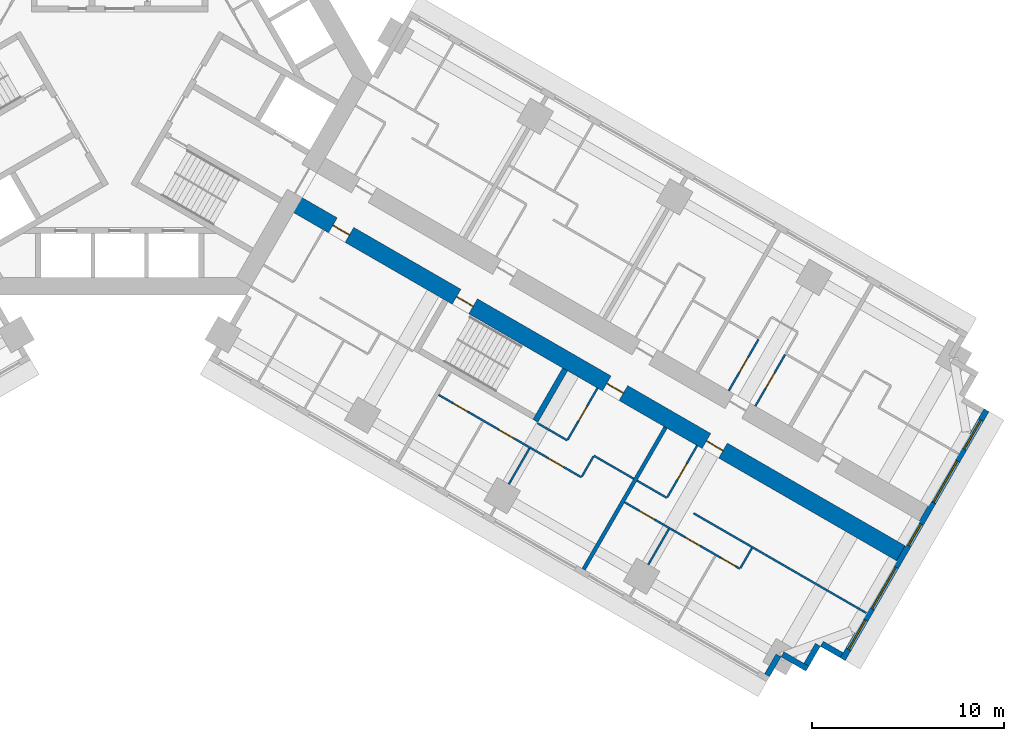
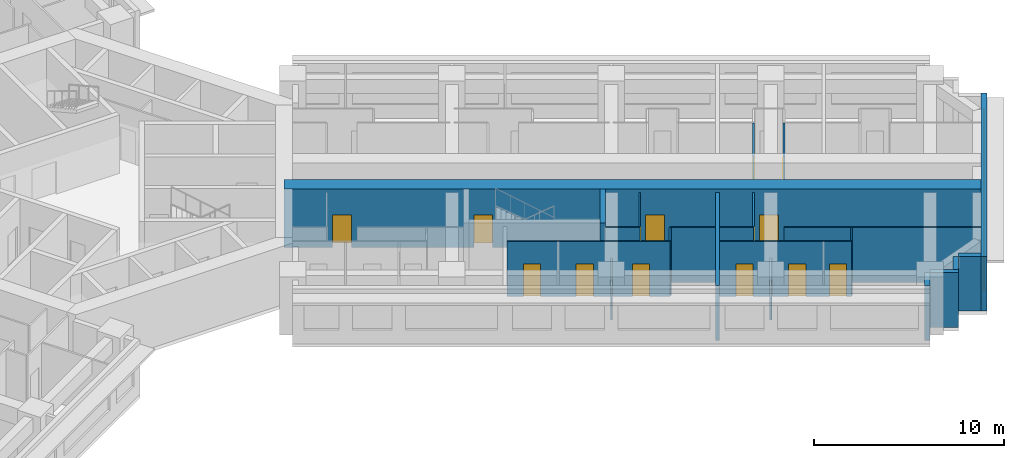
# One storey, part 11 of 16: 22 walls, 14 doors, 5 windows, 19 openings.
"""IFC4 building model written with IfcOpenShell, lengths in metres."""

from ifc_helpers import new_model, si_unit, direction, frame, frame_2d, origin, place, context, subcontext, project, spatial, rectangle, extrude, material, layer, layer_set, type_object, element, fill, save


model = new_model("IFC4")

# Units and contexts
model_context = context("Model", 3, precision=1e-05, world=origin(), true_north=direction((0.0, 1.0)))
body_context = subcontext(model_context, "Body", "Model", "MODEL_VIEW")
ifc_project = project(units=[si_unit("LENGTHUNIT", "METRE"), si_unit("AREAUNIT", "SQUARE_METRE"), si_unit("VOLUMEUNIT", "CUBIC_METRE"), si_unit("PLANEANGLEUNIT", "RADIAN"), si_unit("MASSUNIT", "GRAM", prefix="KILO")], contexts=[model_context])

# Site, building, storey
site_placement = place(None, origin())
site = spatial("IfcSite", under=ifc_project, at=site_placement, CompositionType="ELEMENT")
building_placement = place(site_placement, origin())
building = spatial("IfcBuilding", under=site, at=building_placement, Name="Impinga Residences", CompositionType="ELEMENT")
storey_placement = place(building_placement, frame((0.0, 0.0, 78.5)))
storey = spatial("IfcBuildingStorey", under=building, at=storey_placement, Name="L19", CompositionType="ELEMENT", Elevation=78.5)

# Wall, openings, doors
ifc_material_1 = material(Name="Concrete C70/85", Category="concrete")
ifc_layer_1 = layer(ifc_material_1, 0.89990234375)
ifc_layer_set_1 = layer_set([ifc_layer_1], Name="Concrete C70/85")
wall_type_1 = type_object("IfcWallType", Name="BW1 corridor buttress wall, L05 to L22 900", PredefinedType="SHEAR", material=ifc_layer_set_1)
wall_1_placement = place(storey_placement, frame((8.910400390625, -6.530029296875, 0.0), z_axis=(0.0, 0.0, 1.0), x_axis=(0.866025284237, -0.500000207062, 0.0)))
wall_1 = element("IfcWall", 1, at=wall_1_placement, inside=storey, type_object=wall_type_1, Name="Corridor wall BW1 ED L19", PredefinedType="SHEAR", context=body_context, shape_type="SweptSolid", body=[
    extrude(rectangle(XDim=36.75, YDim=0.89990234375, at=frame_2d((18.375, 0.0))), origin(), (0.0, 0.0, 1.0), 3.75),
])
opening_1_placement = place(wall_1_placement, frame((10.0, 0.0, 0.0)))
opening_1 = element("IfcOpeningElement", 2, at=opening_1_placement, cuts=wall_1, Name="Opening D5", PredefinedType="OPENING", context=body_context, shape_type="SweptSolid", body=[
    extrude(rectangle(XDim=1.0, YDim=2.10009765625, at=frame_2d((0.5, 1.050048828125))), frame((0.0, 0.4599609375, 0.0), z_axis=(0.0, -1.0, 0.0), x_axis=(1.0, 0.0, 0.0)), (0.0, 0.0, 1.0), 0.919921875),
])
opening_2_placement = place(wall_1_placement, frame((2.550048828125, 0.0, 0.0)))
opening_2 = element("IfcOpeningElement", 3, at=opening_2_placement, cuts=wall_1, Name="Opening D1", PredefinedType="OPENING", context=body_context, shape_type="SweptSolid", body=[
    extrude(rectangle(XDim=1.0, YDim=2.10009765625, at=frame_2d((0.5, 1.050048828125))), frame((0.0, 0.4599609375, 0.0), z_axis=(0.0, -1.0, 0.0), x_axis=(1.0, 0.0, 0.0)), (0.0, 0.0, 1.0), 0.919921875),
])
opening_3_placement = place(wall_1_placement, frame((19.050048828125, 0.0, 0.0)))
opening_3 = element("IfcOpeningElement", 4, at=opening_3_placement, cuts=wall_1, Name="Opening D1", PredefinedType="OPENING", context=body_context, shape_type="SweptSolid", body=[
    extrude(rectangle(XDim=1.0, YDim=2.10009765625, at=frame_2d((0.5, 1.050048828125))), frame((0.0, 0.4599609375, 0.0), z_axis=(0.0, -1.0, 0.0), x_axis=(1.0, 0.0, 0.0)), (0.0, 0.0, 1.0), 0.919921875),
])
opening_4_placement = place(wall_1_placement, frame((25.050048828125, 0.0, 0.0)))
opening_4 = element("IfcOpeningElement", 5, at=opening_4_placement, cuts=wall_1, Name="Opening D1", PredefinedType="OPENING", context=body_context, shape_type="SweptSolid", body=[
    extrude(rectangle(XDim=1.0, YDim=2.10009765625, at=frame_2d((0.5, 1.050048828125))), frame((0.0, 0.4599609375, 0.0), z_axis=(0.0, -1.0, 0.0), x_axis=(1.0, 0.0, 0.0)), (0.0, 0.0, 1.0), 0.919921875),
])
ifc_material_2 = material(Name="Timber door set", Category="wood")
door_type_1 = type_object("IfcDoorType", Name="D1 apartment entrance door 1000x2100", OperationType="SINGLE_SWING_LEFT", PredefinedType="DOOR", material=ifc_material_2)
door_1_placement = place(opening_2_placement, origin())
door_1 = element("IfcDoor", 6, at=door_1_placement, inside=storey, type_object=door_type_1, Name="Apartment L19-EF1 entrance", OperationType="SINGLE_SWING_LEFT", OverallHeight=2.10009765625, OverallWidth=1.0, PredefinedType="DOOR", context=body_context, shape_type="SweptSolid", body=[
    extrude(rectangle(XDim=1.0, YDim=2.10009765625, at=frame_2d((0.5, 1.050048828125))), frame((0.0, 0.02490234375, 0.0), z_axis=(0.0, -1.0, 0.0), x_axis=(1.0, 0.0, 0.0)), (0.0, 0.0, 1.0), 0.050048828125),
])
fill(opening_2, door_1)
door_2_placement = place(opening_3_placement, origin())
door_2 = element("IfcDoor", 7, at=door_2_placement, inside=storey, type_object=door_type_1, Name="Apartment L19-EF2 entrance", OperationType="SINGLE_SWING_RIGHT", OverallHeight=2.10009765625, OverallWidth=1.0, PredefinedType="DOOR", context=body_context, shape_type="SweptSolid", body=[
    extrude(rectangle(XDim=1.0, YDim=2.10009765625, at=frame_2d((0.5, 1.050048828125))), frame((0.0, 0.02490234375, 0.0), z_axis=(0.0, -1.0, 0.0), x_axis=(1.0, 0.0, 0.0)), (0.0, 0.0, 1.0), 0.050048828125),
])
fill(opening_3, door_2)
door_3_placement = place(opening_4_placement, origin())
door_3 = element("IfcDoor", 8, at=door_3_placement, inside=storey, type_object=door_type_1, Name="Apartment L19-EF3 entrance", OperationType="SINGLE_SWING_RIGHT", OverallHeight=2.10009765625, OverallWidth=1.0, PredefinedType="DOOR", context=body_context, shape_type="SweptSolid", body=[
    extrude(rectangle(XDim=1.0, YDim=2.10009765625, at=frame_2d((0.5, 1.050048828125))), frame((0.0, 0.02490234375, 0.0), z_axis=(0.0, -1.0, 0.0), x_axis=(1.0, 0.0, 0.0)), (0.0, 0.0, 1.0), 0.050048828125),
])
fill(opening_4, door_3)
door_type_2 = type_object("IfcDoorType", Name="D5 stair door 1000x2100", OperationType="SINGLE_SWING_LEFT", PredefinedType="DOOR", material=ifc_material_2)
door_4_placement = place(opening_1_placement, origin())
door_4 = element("IfcDoor", 9, at=door_4_placement, inside=storey, type_object=door_type_2, Name="Wing stair door E", OperationType="SINGLE_SWING_LEFT", OverallHeight=2.10009765625, OverallWidth=1.0, PredefinedType="DOOR", context=body_context, shape_type="SweptSolid", body=[
    extrude(rectangle(XDim=1.0, YDim=2.10009765625, at=frame_2d((0.5, 1.050048828125))), frame((0.0, 0.02490234375, 0.0), z_axis=(0.0, -1.0, 0.0), x_axis=(1.0, 0.0, 0.0)), (0.0, 0.0, 1.0), 0.050048828125),
])
fill(opening_1, door_4)

# Wall, openings, windows
ifc_material_3 = material(Name="Terracotta rainscreen on blockwork", Category="masonry")
ifc_layer_2 = layer(ifc_material_3, 0.300048828125)
ifc_layer_set_2 = layer_set([ifc_layer_2], Name="EW1 external wall, terracotta rainscreen on blockwork 300")
wall_type_2 = type_object("IfcWallType", Name="EW1 external wall, terracotta rainscreen on blockwork 300", PredefinedType="SOLIDWALL", material=ifc_layer_set_2)
wall_2_placement = place(storey_placement, frame((45.216552734375, -17.445556640625, 0.0), z_axis=(0.0, 0.0, 1.0), x_axis=(-0.499997186618, -0.866027028085, 0.0)))
wall_2 = element("IfcWall", 10, at=wall_2_placement, inside=storey, type_object=wall_type_2, Name="External wall EW1 L19", PredefinedType="SOLIDWALL", context=body_context, shape_type="SweptSolid", body=[
    extrude(rectangle(XDim=15.0, YDim=0.300048828125, at=frame_2d((7.5, 0.0))), origin(), (0.0, 0.0, 1.0), 3.530029296875),
])
opening_5_placement = place(wall_2_placement, frame((0.60009765625, 0.0, 0.89990234375)))
opening_5 = element("IfcOpeningElement", 11, at=opening_5_placement, cuts=wall_2, Name="Opening W1", PredefinedType="OPENING", context=body_context, shape_type="SweptSolid", body=[
    extrude(rectangle(XDim=1.75, YDim=2.050048828125, at=frame_2d((0.875, 1.02490234375))), frame((0.0, 0.159912109375, 0.0), z_axis=(0.0, -1.0, 0.0), x_axis=(1.0, 0.0, 0.0)), (0.0, 0.0, 1.0), 0.320068359375),
])
opening_6_placement = place(wall_2_placement, frame((3.050048828125, 0.0, 0.89990234375)))
opening_6 = element("IfcOpeningElement", 12, at=opening_6_placement, cuts=wall_2, Name="Opening W2", PredefinedType="OPENING", context=body_context, shape_type="SweptSolid", body=[
    extrude(rectangle(XDim=2.5, YDim=2.050048828125, at=frame_2d((1.25, 1.02490234375))), frame((0.0, 0.159912109375, 0.0), z_axis=(0.0, -1.0, 0.0), x_axis=(1.0, 0.0, 0.0)), (0.0, 0.0, 1.0), 0.320068359375),
])
opening_7_placement = place(wall_2_placement, frame((6.85009765625, 0.0, 0.89990234375)))
opening_7 = element("IfcOpeningElement", 13, at=opening_7_placement, cuts=wall_2, Name="Opening WE1", PredefinedType="OPENING", context=body_context, shape_type="SweptSolid", body=[
    extrude(rectangle(XDim=1.300048828125, YDim=2.050048828125, at=frame_2d((0.64990234375, 1.02490234375))), frame((0.0, 0.159912109375, 0.0), z_axis=(0.0, -1.0, 0.0), x_axis=(1.0, 0.0, 0.0)), (0.0, 0.0, 1.0), 0.320068359375),
])
opening_8_placement = place(wall_2_placement, frame((9.449951171875, 0.0, 0.89990234375)))
opening_8 = element("IfcOpeningElement", 14, at=opening_8_placement, cuts=wall_2, Name="Opening W2", PredefinedType="OPENING", context=body_context, shape_type="SweptSolid", body=[
    extrude(rectangle(XDim=2.5, YDim=2.050048828125, at=frame_2d((1.25, 1.02490234375))), frame((0.0, 0.159912109375, 0.0), z_axis=(0.0, -1.0, 0.0), x_axis=(1.0, 0.0, 0.0)), (0.0, 0.0, 1.0), 0.320068359375),
])
opening_9_placement = place(wall_2_placement, frame((12.64990234375, 0.0, 0.89990234375)))
opening_9 = element("IfcOpeningElement", 15, at=opening_9_placement, cuts=wall_2, Name="Opening W1", PredefinedType="OPENING", context=body_context, shape_type="SweptSolid", body=[
    extrude(rectangle(XDim=1.75, YDim=2.050048828125, at=frame_2d((0.875, 1.02490234375))), frame((0.0, 0.159912109375, 0.0), z_axis=(0.0, -1.0, 0.0), x_axis=(1.0, 0.0, 0.0)), (0.0, 0.0, 1.0), 0.320068359375),
])
ifc_material_4 = material(Name="Aluminium window, clear double glazing", Category="aluminium")
window_type_1 = type_object("IfcWindowType", Name="W1 ribbon window 1750x2050", PartitioningType="SINGLE_PANEL", PredefinedType="WINDOW", material=ifc_material_4)
window_1_placement = place(opening_5_placement, origin())
window_1 = element("IfcWindow", 16, at=window_1_placement, inside=storey, type_object=window_type_1, Name="Window L19", OverallHeight=2.050048828125, OverallWidth=1.75, PartitioningType="SINGLE_PANEL", PredefinedType="WINDOW", context=body_context, shape_type="SweptSolid", body=[
    extrude(rectangle(XDim=1.75, YDim=2.050048828125, at=frame_2d((0.875, 1.02490234375))), frame((0.0, 0.030029296875, 0.0), z_axis=(0.0, -1.0, 0.0), x_axis=(1.0, 0.0, 0.0)), (0.0, 0.0, 1.0), 0.06005859375),
])
fill(opening_5, window_1)
window_2_placement = place(opening_9_placement, origin())
window_2 = element("IfcWindow", 17, at=window_2_placement, inside=storey, type_object=window_type_1, Name="Window L19", OverallHeight=2.050048828125, OverallWidth=1.75, PartitioningType="SINGLE_PANEL", PredefinedType="WINDOW", context=body_context, shape_type="SweptSolid", body=[
    extrude(rectangle(XDim=1.75, YDim=2.050048828125, at=frame_2d((0.875, 1.02490234375))), frame((0.0, 0.030029296875, 0.0), z_axis=(0.0, -1.0, 0.0), x_axis=(1.0, 0.0, 0.0)), (0.0, 0.0, 1.0), 0.06005859375),
])
fill(opening_9, window_2)
window_type_2 = type_object("IfcWindowType", Name="W2 ribbon window 2500x2050", PartitioningType="SINGLE_PANEL", PredefinedType="WINDOW", material=ifc_material_4)
window_3_placement = place(opening_6_placement, origin())
window_3 = element("IfcWindow", 18, at=window_3_placement, inside=storey, type_object=window_type_2, Name="Window L19", OverallHeight=2.050048828125, OverallWidth=2.5, PartitioningType="SINGLE_PANEL", PredefinedType="WINDOW", context=body_context, shape_type="SweptSolid", body=[
    extrude(rectangle(XDim=2.5, YDim=2.050048828125, at=frame_2d((1.25, 1.02490234375))), frame((0.0, 0.030029296875, 0.0), z_axis=(0.0, -1.0, 0.0), x_axis=(1.0, 0.0, 0.0)), (0.0, 0.0, 1.0), 0.06005859375),
])
fill(opening_6, window_3)
window_4_placement = place(opening_8_placement, origin())
window_4 = element("IfcWindow", 19, at=window_4_placement, inside=storey, type_object=window_type_2, Name="Window L19", OverallHeight=2.050048828125, OverallWidth=2.5, PartitioningType="SINGLE_PANEL", PredefinedType="WINDOW", context=body_context, shape_type="SweptSolid", body=[
    extrude(rectangle(XDim=2.5, YDim=2.050048828125, at=frame_2d((1.25, 1.02490234375))), frame((0.0, 0.030029296875, 0.0), z_axis=(0.0, -1.0, 0.0), x_axis=(1.0, 0.0, 0.0)), (0.0, 0.0, 1.0), 0.06005859375),
])
fill(opening_8, window_4)
window_type_3 = type_object("IfcWindowType", Name="WE1 corridor window 1300x2050", PartitioningType="SINGLE_PANEL", PredefinedType="WINDOW", material=ifc_material_4)
window_5_placement = place(opening_7_placement, origin())
window_5 = element("IfcWindow", 20, at=window_5_placement, inside=storey, type_object=window_type_3, Name="Window L19", OverallHeight=2.050048828125, OverallWidth=1.300048828125, PartitioningType="SINGLE_PANEL", PredefinedType="WINDOW", context=body_context, shape_type="SweptSolid", body=[
    extrude(rectangle(XDim=1.300048828125, YDim=2.050048828125, at=frame_2d((0.64990234375, 1.02490234375))), frame((0.0, 0.030029296875, 0.0), z_axis=(0.0, -1.0, 0.0), x_axis=(1.0, 0.0, 0.0)), (0.0, 0.0, 1.0), 0.06005859375),
])
fill(opening_7, window_5)

# Walls
wall_3_placement = place(storey_placement, frame((37.66162109375, -30.23095703125, 0.0), z_axis=(0.0, 0.0, 1.0), x_axis=(-0.866059708757, 0.499940577336, 0.0)))
element("IfcWall", 21, at=wall_3_placement, inside=storey, type_object=wall_type_2, Name="External wall EW1 L19", PredefinedType="SOLIDWALL", context=body_context, shape_type="SweptSolid", body=[
    extrude(rectangle(XDim=1.195068359375, YDim=0.300048828125, at=frame_2d((0.59765625, 0.0))), origin(), (0.0, 0.0, 1.0), 3.530029296875),
])
wall_4_placement = place(storey_placement, frame((36.41748046875, -29.68603515625, 0.0), z_axis=(0.0, 0.0, 1.0), x_axis=(-0.499969057507, -0.866043267704, 0.0)))
element("IfcWall", 22, at=wall_4_placement, inside=storey, type_object=wall_type_2, Name="External wall EW1 L19", PredefinedType="SOLIDWALL", context=body_context, shape_type="SweptSolid", body=[
    extrude(rectangle(XDim=1.19970703125, YDim=0.300048828125, at=frame_2d((0.599853515625, 0.0))), origin(), (0.0, 0.0, 1.0), 3.530029296875),
])
wall_5_placement = place(storey_placement, frame((35.87255859375, -30.93017578125, 0.0), z_axis=(0.0, 0.0, 1.0), x_axis=(-0.866031096941, 0.499990139034, 0.0)))
element("IfcWall", 23, at=wall_5_placement, inside=storey, type_object=wall_type_2, Name="External wall EW1 L19", PredefinedType="SOLIDWALL", context=body_context, shape_type="SweptSolid", body=[
    extrude(rectangle(XDim=1.5, YDim=0.300048828125, at=frame_2d((0.75, 0.0))), origin(), (0.0, 0.0, 1.0), 3.530029296875),
])
wall_6_placement = place(storey_placement, frame((34.365966796875, -30.2392578125, 0.0), z_axis=(0.0, 0.0, 1.0), x_axis=(-0.499940577336, -0.866059708757, 0.0)))
element("IfcWall", 24, at=wall_6_placement, inside=storey, type_object=wall_type_2, Name="External wall EW1 L19", PredefinedType="SOLIDWALL", context=body_context, shape_type="SweptSolid", body=[
    extrude(rectangle(XDim=1.195068359375, YDim=0.300048828125, at=frame_2d((0.59765625, 0.0))), origin(), (0.0, 0.0, 1.0), 3.530029296875),
])

# Wall, opening, door
ifc_material_5 = material(Name="Gypsum board on steel studs", Category="steel")
ifc_layer_3 = layer(ifc_material_5, 0.10009765625)
ifc_layer_set_3 = layer_set([ifc_layer_3], Name="Gypsum board on steel studs")
wall_type_3 = type_object("IfcWallType", Name="IP1 partition 100", PredefinedType="PARTITIONING", material=ifc_layer_set_3)
wall_7_placement = place(storey_placement, frame((31.76953125, -16.436767578125, 0.0), z_axis=(0.0, 0.0, 1.0), x_axis=(0.499967891604, 0.866043940782, 0.0)))
wall_7 = element("IfcWall", 25, at=wall_7_placement, inside=storey, type_object=wall_type_3, Name="Partition L19-EA4:IB1", PredefinedType="PARTITIONING", context=body_context, shape_type="SweptSolid", body=[
    extrude(rectangle(XDim=3.099853515625, YDim=0.10009765625, at=frame_2d((1.5498046875, 0.0))), origin(), (0.0, 0.0, 1.0), 3.530029296875),
])
opening_10_placement = place(wall_7_placement, frame((1.10009765625, 0.0, 0.0)))
opening_10 = element("IfcOpeningElement", 26, at=opening_10_placement, cuts=wall_7, Name="Opening D2", PredefinedType="OPENING", context=body_context, shape_type="SweptSolid", body=[
    extrude(rectangle(XDim=0.89990234375, YDim=2.10009765625, at=frame_2d((0.449951171875, 1.050048828125))), frame((0.0, 0.06005859375, 0.0), z_axis=(0.0, -1.0, 0.0), x_axis=(1.0, 0.0, 0.0)), (0.0, 0.0, 1.0), 0.1201171875),
])
door_type_3 = type_object("IfcDoorType", Name="D2 internal door 900x2100", OperationType="SINGLE_SWING_LEFT", PredefinedType="DOOR", material=ifc_material_2)
door_5_placement = place(opening_10_placement, origin())
door_5 = element("IfcDoor", 27, at=door_5_placement, inside=storey, type_object=door_type_3, Name="Apartment L19-EA4 bathroom door", OperationType="SINGLE_SWING_LEFT", OverallHeight=2.10009765625, OverallWidth=0.89990234375, PredefinedType="DOOR", context=body_context, shape_type="SweptSolid", body=[
    extrude(rectangle(XDim=0.89990234375, YDim=2.10009765625, at=frame_2d((0.449951171875, 1.050048828125))), frame((0.0, 0.02490234375, 0.0), z_axis=(0.0, -1.0, 0.0), x_axis=(1.0, 0.0, 0.0)), (0.0, 0.0, 1.0), 0.050048828125),
])
fill(opening_10, door_5)

wall_8_placement = place(storey_placement, frame((33.155029296875, -17.23681640625, 0.0), z_axis=(0.0, 0.0, 1.0), x_axis=(0.500026960575, 0.86600983753, 0.0)))
wall_8 = element("IfcWall", 28, at=wall_8_placement, inside=storey, type_object=wall_type_3, Name="Partition L19-EA4:IB2", PredefinedType="PARTITIONING", context=body_context, shape_type="SweptSolid", body=[
    extrude(rectangle(XDim=3.099853515625, YDim=0.10009765625, at=frame_2d((1.5498046875, 0.0))), origin(), (0.0, 0.0, 1.0), 3.530029296875),
])
opening_11_placement = place(wall_8_placement, frame((1.10009765625, 0.0, 0.0)))
opening_11 = element("IfcOpeningElement", 29, at=opening_11_placement, cuts=wall_8, Name="Opening D2", PredefinedType="OPENING", context=body_context, shape_type="SweptSolid", body=[
    extrude(rectangle(XDim=0.89990234375, YDim=2.10009765625, at=frame_2d((0.449951171875, 1.050048828125))), frame((0.0, 0.06005859375, 0.0), z_axis=(0.0, -1.0, 0.0), x_axis=(1.0, 0.0, 0.0)), (0.0, 0.0, 1.0), 0.1201171875),
])
door_6_placement = place(opening_11_placement, origin())
door_6 = element("IfcDoor", 30, at=door_6_placement, inside=storey, type_object=door_type_3, Name="Apartment L19-EA4 WC door", OperationType="SINGLE_SWING_LEFT", OverallHeight=2.10009765625, OverallWidth=0.89990234375, PredefinedType="DOOR", context=body_context, shape_type="SweptSolid", body=[
    extrude(rectangle(XDim=0.89990234375, YDim=2.10009765625, at=frame_2d((0.449951171875, 1.050048828125))), frame((0.0, 0.02490234375, 0.0), z_axis=(0.0, -1.0, 0.0), x_axis=(1.0, 0.0, 0.0)), (0.0, 0.0, 1.0), 0.050048828125),
])
fill(opening_11, door_6)

# Walls
wall_9_placement = place(storey_placement, frame((21.789306640625, -18.122802734375, 0.0), z_axis=(0.0, 0.0, 1.0), x_axis=(0.866047807691, -0.499961193289, 0.0)))
element("IfcWall", 31, at=wall_9_placement, inside=storey, type_object=wall_type_3, Name="Partition L19-EF2:DIV0", PredefinedType="PARTITIONING", context=body_context, shape_type="SweptSolid", body=[
    extrude(rectangle(XDim=1.800048828125, YDim=0.10009765625, at=frame_2d((0.89990234375, 0.0))), origin(), (0.0, 0.0, 1.0), 3.530029296875),
])
wall_10_placement = place(storey_placement, frame((24.73388671875, -19.82275390625, 0.0), z_axis=(0.0, 0.0, 1.0), x_axis=(0.866024647952, -0.500001309137, 0.0)))
element("IfcWall", 32, at=wall_10_placement, inside=storey, type_object=wall_type_3, Name="Partition L19-EF2:DIV1", PredefinedType="PARTITIONING", context=body_context, shape_type="SweptSolid", body=[
    extrude(rectangle(XDim=2.39990234375, YDim=0.10009765625, at=frame_2d((1.199951171875, 0.0))), origin(), (0.0, 0.0, 1.0), 3.530029296875),
])

# Wall, openings, doors
wall_11_placement = place(storey_placement, frame((16.635986328125, -16.6484375, 0.0), z_axis=(0.0, 0.0, 1.0), x_axis=(0.866028165386, -0.499995216735, 0.0)))
wall_11 = element("IfcWall", 33, at=wall_11_placement, inside=storey, type_object=wall_type_3, Name="Partition L19-EF2:STRIP", PredefinedType="PARTITIONING", context=body_context, shape_type="SweptSolid", body=[
    extrude(rectangle(XDim=8.60009765625, YDim=0.10009765625, at=frame_2d((4.300048828125, 0.0))), origin(), (0.0, 0.0, 1.0), 3.530029296875),
])
opening_12_placement = place(wall_11_placement, frame((0.875, 0.0, 0.0)))
opening_12 = element("IfcOpeningElement", 34, at=opening_12_placement, cuts=wall_11, Name="Opening D2", PredefinedType="OPENING", context=body_context, shape_type="SweptSolid", body=[
    extrude(rectangle(XDim=0.89990234375, YDim=2.10009765625, at=frame_2d((0.449951171875, 1.050048828125))), frame((0.0, 0.06005859375, 0.0), z_axis=(0.0, -1.0, 0.0), x_axis=(1.0, 0.0, 0.0)), (0.0, 0.0, 1.0), 0.1201171875),
])
opening_13_placement = place(wall_11_placement, frame((3.64990234375, 0.0, 0.0)))
opening_13 = element("IfcOpeningElement", 35, at=opening_13_placement, cuts=wall_11, Name="Opening D2", PredefinedType="OPENING", context=body_context, shape_type="SweptSolid", body=[
    extrude(rectangle(XDim=0.89990234375, YDim=2.10009765625, at=frame_2d((0.449951171875, 1.050048828125))), frame((0.0, 0.06005859375, 0.0), z_axis=(0.0, -1.0, 0.0), x_axis=(1.0, 0.0, 0.0)), (0.0, 0.0, 1.0), 0.1201171875),
])
opening_14_placement = place(wall_11_placement, frame((6.625, 0.0, 0.0)))
opening_14 = element("IfcOpeningElement", 36, at=opening_14_placement, cuts=wall_11, Name="Opening D2", PredefinedType="OPENING", context=body_context, shape_type="SweptSolid", body=[
    extrude(rectangle(XDim=0.89990234375, YDim=2.10009765625, at=frame_2d((0.449951171875, 1.050048828125))), frame((0.0, 0.06005859375, 0.0), z_axis=(0.0, -1.0, 0.0), x_axis=(1.0, 0.0, 0.0)), (0.0, 0.0, 1.0), 0.1201171875),
])
door_7_placement = place(opening_12_placement, origin())
door_7 = element("IfcDoor", 37, at=door_7_placement, inside=storey, type_object=door_type_3, Name="Apartment L19-EF2 room door", OperationType="SINGLE_SWING_LEFT", OverallHeight=2.10009765625, OverallWidth=0.89990234375, PredefinedType="DOOR", context=body_context, shape_type="SweptSolid", body=[
    extrude(rectangle(XDim=0.89990234375, YDim=2.10009765625, at=frame_2d((0.449951171875, 1.050048828125))), frame((0.0, 0.02490234375, 0.0), z_axis=(0.0, -1.0, 0.0), x_axis=(1.0, 0.0, 0.0)), (0.0, 0.0, 1.0), 0.050048828125),
])
fill(opening_12, door_7)
door_8_placement = place(opening_13_placement, origin())
door_8 = element("IfcDoor", 38, at=door_8_placement, inside=storey, type_object=door_type_3, Name="Apartment L19-EF2 room door", OperationType="SINGLE_SWING_LEFT", OverallHeight=2.10009765625, OverallWidth=0.89990234375, PredefinedType="DOOR", context=body_context, shape_type="SweptSolid", body=[
    extrude(rectangle(XDim=0.89990234375, YDim=2.10009765625, at=frame_2d((0.449951171875, 1.050048828125))), frame((0.0, 0.02490234375, 0.0), z_axis=(0.0, -1.0, 0.0), x_axis=(1.0, 0.0, 0.0)), (0.0, 0.0, 1.0), 0.050048828125),
])
fill(opening_13, door_8)
door_9_placement = place(opening_14_placement, origin())
door_9 = element("IfcDoor", 39, at=door_9_placement, inside=storey, type_object=door_type_3, Name="Apartment L19-EF2 room door", OperationType="SINGLE_SWING_RIGHT", OverallHeight=2.10009765625, OverallWidth=0.89990234375, PredefinedType="DOOR", context=body_context, shape_type="SweptSolid", body=[
    extrude(rectangle(XDim=0.89990234375, YDim=2.10009765625, at=frame_2d((0.449951171875, 1.050048828125))), frame((0.0, 0.02490234375, 0.0), z_axis=(0.0, -1.0, 0.0), x_axis=(1.0, 0.0, 0.0)), (0.0, 0.0, 1.0), 0.050048828125),
])
fill(opening_14, door_9)

# Wall
wall_12_placement = place(storey_placement, frame((24.708984375, -19.865966796875, 0.0), z_axis=(0.0, 0.0, 1.0), x_axis=(-0.500033551112, -0.866006032174, 0.0)))
element("IfcWall", 40, at=wall_12_placement, inside=storey, type_object=wall_type_3, Name="Partition L19-EF2:SE1", PredefinedType="PARTITIONING", context=body_context, shape_type="SweptSolid", body=[
    extrude(rectangle(XDim=1.2001953125, YDim=0.10009765625, at=frame_2d((0.60009765625, 0.0))), origin(), (0.0, 0.0, 1.0), 3.530029296875),
])

# Wall, opening, door
wall_13_placement = place(storey_placement, frame((24.92333984375, -16.294677734375, 0.0), z_axis=(0.0, 0.0, 1.0), x_axis=(-0.49999285859, -0.86602952684, 0.0)))
wall_13 = element("IfcWall", 41, at=wall_13_placement, inside=storey, type_object=wall_type_3, Name="Partition L19-EF2:IB1", PredefinedType="PARTITIONING", context=body_context, shape_type="SweptSolid", body=[
    extrude(rectangle(XDim=3.10009765625, YDim=0.10009765625, at=frame_2d((1.550048828125, 0.0))), origin(), (0.0, 0.0, 1.0), 3.530029296875),
])
opening_15_placement = place(wall_13_placement, frame((1.10009765625, 0.0, 0.0)))
opening_15 = element("IfcOpeningElement", 42, at=opening_15_placement, cuts=wall_13, Name="Opening D2", PredefinedType="OPENING", context=body_context, shape_type="SweptSolid", body=[
    extrude(rectangle(XDim=0.89990234375, YDim=2.10009765625, at=frame_2d((0.449951171875, 1.050048828125))), frame((0.0, 0.06005859375, 0.0), z_axis=(0.0, -1.0, 0.0), x_axis=(1.0, 0.0, 0.0)), (0.0, 0.0, 1.0), 0.1201171875),
])
door_10_placement = place(opening_15_placement, origin())
door_10 = element("IfcDoor", 43, at=door_10_placement, inside=storey, type_object=door_type_3, Name="Apartment L19-EF2 bathroom door", OperationType="SINGLE_SWING_LEFT", OverallHeight=2.10009765625, OverallWidth=0.89990234375, PredefinedType="DOOR", context=body_context, shape_type="SweptSolid", body=[
    extrude(rectangle(XDim=0.89990234375, YDim=2.10009765625, at=frame_2d((0.449951171875, 1.050048828125))), frame((0.0, 0.02490234375, 0.0), z_axis=(0.0, -1.0, 0.0), x_axis=(1.0, 0.0, 0.0)), (0.0, 0.0, 1.0), 0.050048828125),
])
fill(opening_15, door_10)

# Walls
wall_14_placement = place(storey_placement, frame((21.374267578125, -19.44189453125, 0.0), z_axis=(0.0, 0.0, 1.0), x_axis=(-0.500010803666, -0.866019166195, 0.0)))
element("IfcWall", 44, at=wall_14_placement, inside=storey, type_object=wall_type_3, Name="Partition L19-EF2:OB2", PredefinedType="PARTITIONING", context=body_context, shape_type="SweptSolid", body=[
    extrude(rectangle(XDim=2.14990234375, YDim=0.10009765625, at=frame_2d((1.074951171875, 0.0))), origin(), (0.0, 0.0, 1.0), 2.47998046875),
])
wall_15_placement = place(storey_placement, frame((26.985595703125, -21.122802734375, 0.0), z_axis=(0.0, 0.0, 1.0), x_axis=(0.866047807691, -0.499961193289, 0.0)))
element("IfcWall", 45, at=wall_15_placement, inside=storey, type_object=wall_type_3, Name="Partition L19-EF3:DIV0", PredefinedType="PARTITIONING", context=body_context, shape_type="SweptSolid", body=[
    extrude(rectangle(XDim=1.800048828125, YDim=0.10009765625, at=frame_2d((0.89990234375, 0.0))), origin(), (0.0, 0.0, 1.0), 3.530029296875),
])
wall_16_placement = place(storey_placement, frame((29.93017578125, -22.82275390625, 0.0), z_axis=(0.0, 0.0, 1.0), x_axis=(0.866025696342, -0.499999493275, 0.0)))
element("IfcWall", 46, at=wall_16_placement, inside=storey, type_object=wall_type_3, Name="Partition L19-EF3:DIV1", PredefinedType="PARTITIONING", context=body_context, shape_type="SweptSolid", body=[
    extrude(rectangle(XDim=10.39990234375, YDim=0.10009765625, at=frame_2d((5.199951171875, 0.0))), origin(), (0.0, 0.0, 1.0), 3.530029296875),
])

# Wall, openings, doors
wall_17_placement = place(storey_placement, frame((26.335693359375, -22.24853515625, 0.0), z_axis=(0.0, 0.0, 1.0), x_axis=(0.866016523273, -0.500015381182, 0.0)))
wall_17 = element("IfcWall", 47, at=wall_17_placement, inside=storey, type_object=wall_type_3, Name="Partition L19-EF3:STRIP", PredefinedType="PARTITIONING", context=body_context, shape_type="SweptSolid", body=[
    extrude(rectangle(XDim=6.949951171875, YDim=0.10009765625, at=frame_2d((3.47509765625, 0.0))), origin(), (0.0, 0.0, 1.0), 3.530029296875),
])
opening_16_placement = place(wall_17_placement, frame((0.875, 0.0, 0.0)))
opening_16 = element("IfcOpeningElement", 48, at=opening_16_placement, cuts=wall_17, Name="Opening D2", PredefinedType="OPENING", context=body_context, shape_type="SweptSolid", body=[
    extrude(rectangle(XDim=0.89990234375, YDim=2.10009765625, at=frame_2d((0.449951171875, 1.050048828125))), frame((0.0, 0.06005859375, 0.0), z_axis=(0.0, -1.0, 0.0), x_axis=(1.0, 0.0, 0.0)), (0.0, 0.0, 1.0), 0.1201171875),
])
opening_17_placement = place(wall_17_placement, frame((3.64990234375, 0.0, 0.0)))
opening_17 = element("IfcOpeningElement", 49, at=opening_17_placement, cuts=wall_17, Name="Opening D2", PredefinedType="OPENING", context=body_context, shape_type="SweptSolid", body=[
    extrude(rectangle(XDim=0.89990234375, YDim=2.10009765625, at=frame_2d((0.449951171875, 1.050048828125))), frame((0.0, 0.06005859375, 0.0), z_axis=(0.0, -1.0, 0.0), x_axis=(1.0, 0.0, 0.0)), (0.0, 0.0, 1.0), 0.1201171875),
])
opening_18_placement = place(wall_17_placement, frame((5.800048828125, 0.0, 0.0)))
opening_18 = element("IfcOpeningElement", 50, at=opening_18_placement, cuts=wall_17, Name="Opening D2", PredefinedType="OPENING", context=body_context, shape_type="SweptSolid", body=[
    extrude(rectangle(XDim=0.89990234375, YDim=2.10009765625, at=frame_2d((0.449951171875, 1.050048828125))), frame((0.0, 0.06005859375, 0.0), z_axis=(0.0, -1.0, 0.0), x_axis=(1.0, 0.0, 0.0)), (0.0, 0.0, 1.0), 0.1201171875),
])
door_11_placement = place(opening_16_placement, origin())
door_11 = element("IfcDoor", 51, at=door_11_placement, inside=storey, type_object=door_type_3, Name="Apartment L19-EF3 room door", OperationType="SINGLE_SWING_LEFT", OverallHeight=2.10009765625, OverallWidth=0.89990234375, PredefinedType="DOOR", context=body_context, shape_type="SweptSolid", body=[
    extrude(rectangle(XDim=0.89990234375, YDim=2.10009765625, at=frame_2d((0.449951171875, 1.050048828125))), frame((0.0, 0.02490234375, 0.0), z_axis=(0.0, -1.0, 0.0), x_axis=(1.0, 0.0, 0.0)), (0.0, 0.0, 1.0), 0.050048828125),
])
fill(opening_16, door_11)
door_12_placement = place(opening_17_placement, origin())
door_12 = element("IfcDoor", 52, at=door_12_placement, inside=storey, type_object=door_type_3, Name="Apartment L19-EF3 room door", OperationType="SINGLE_SWING_RIGHT", OverallHeight=2.10009765625, OverallWidth=0.89990234375, PredefinedType="DOOR", context=body_context, shape_type="SweptSolid", body=[
    extrude(rectangle(XDim=0.89990234375, YDim=2.10009765625, at=frame_2d((0.449951171875, 1.050048828125))), frame((0.0, 0.02490234375, 0.0), z_axis=(0.0, -1.0, 0.0), x_axis=(1.0, 0.0, 0.0)), (0.0, 0.0, 1.0), 0.050048828125),
])
fill(opening_17, door_12)
door_13_placement = place(opening_18_placement, origin())
door_13 = element("IfcDoor", 53, at=door_13_placement, inside=storey, type_object=door_type_3, Name="Apartment L19-EF3 room door", OperationType="SINGLE_SWING_RIGHT", OverallHeight=2.10009765625, OverallWidth=0.89990234375, PredefinedType="DOOR", context=body_context, shape_type="SweptSolid", body=[
    extrude(rectangle(XDim=0.89990234375, YDim=2.10009765625, at=frame_2d((0.449951171875, 1.050048828125))), frame((0.0, 0.02490234375, 0.0), z_axis=(0.0, -1.0, 0.0), x_axis=(1.0, 0.0, 0.0)), (0.0, 0.0, 1.0), 0.050048828125),
])
fill(opening_18, door_13)

# Wall
wall_18_placement = place(storey_placement, frame((32.9794921875, -24.640869140625, 0.0), z_axis=(0.0, 0.0, 1.0), x_axis=(-0.500033551112, -0.866006032174, 0.0)))
element("IfcWall", 54, at=wall_18_placement, inside=storey, type_object=wall_type_3, Name="Partition L19-EF3:SE1", PredefinedType="PARTITIONING", context=body_context, shape_type="SweptSolid", body=[
    extrude(rectangle(XDim=1.2001953125, YDim=0.10009765625, at=frame_2d((0.60009765625, 0.0))), origin(), (0.0, 0.0, 1.0), 3.530029296875),
])

# Wall, opening, door
wall_19_placement = place(storey_placement, frame((30.119384765625, -19.294677734375, 0.0), z_axis=(0.0, 0.0, 1.0), x_axis=(-0.49999285859, -0.86602952684, 0.0)))
wall_19 = element("IfcWall", 55, at=wall_19_placement, inside=storey, type_object=wall_type_3, Name="Partition L19-EF3:IB1", PredefinedType="PARTITIONING", context=body_context, shape_type="SweptSolid", body=[
    extrude(rectangle(XDim=3.10009765625, YDim=0.10009765625, at=frame_2d((1.550048828125, 0.0))), origin(), (0.0, 0.0, 1.0), 3.530029296875),
])
opening_19_placement = place(wall_19_placement, frame((1.10009765625, 0.0, 0.0)))
opening_19 = element("IfcOpeningElement", 56, at=opening_19_placement, cuts=wall_19, Name="Opening D2", PredefinedType="OPENING", context=body_context, shape_type="SweptSolid", body=[
    extrude(rectangle(XDim=0.89990234375, YDim=2.10009765625, at=frame_2d((0.449951171875, 1.050048828125))), frame((0.0, 0.06005859375, 0.0), z_axis=(0.0, -1.0, 0.0), x_axis=(1.0, 0.0, 0.0)), (0.0, 0.0, 1.0), 0.1201171875),
])
door_14_placement = place(opening_19_placement, origin())
door_14 = element("IfcDoor", 57, at=door_14_placement, inside=storey, type_object=door_type_3, Name="Apartment L19-EF3 bathroom door", OperationType="SINGLE_SWING_LEFT", OverallHeight=2.10009765625, OverallWidth=0.89990234375, PredefinedType="DOOR", context=body_context, shape_type="SweptSolid", body=[
    extrude(rectangle(XDim=0.89990234375, YDim=2.10009765625, at=frame_2d((0.449951171875, 1.050048828125))), frame((0.0, 0.02490234375, 0.0), z_axis=(0.0, -1.0, 0.0), x_axis=(1.0, 0.0, 0.0)), (0.0, 0.0, 1.0), 0.050048828125),
])
fill(opening_19, door_14)

# Walls
wall_20_placement = place(storey_placement, frame((28.64892578125, -23.641845703125, 0.0), z_axis=(0.0, 0.0, 1.0), x_axis=(-0.500095966228, -0.865969990567, 0.0)))
element("IfcWall", 58, at=wall_20_placement, inside=storey, type_object=wall_type_3, Name="Partition L19-EF3:OB1", PredefinedType="PARTITIONING", context=body_context, shape_type="SweptSolid", body=[
    extrude(rectangle(XDim=2.14990234375, YDim=0.10009765625, at=frame_2d((1.074951171875, 0.0))), origin(), (0.0, 0.0, 1.0), 2.47998046875),
])
ifc_material_6 = material(Name="Concrete blockwork", Category="masonry")
ifc_layer_4 = layer(ifc_material_6, 0.199951171875)
ifc_layer_set_4 = layer_set([ifc_layer_4], Name="PW1 party wall between apartments 200")
wall_type_4 = type_object("IfcWallType", Name="PW1 party wall between apartments 200", PredefinedType="SOLIDWALL", material=ifc_layer_set_4)
wall_21_placement = place(storey_placement, frame((28.473876953125, -18.3447265625, 0.0), z_axis=(0.0, 0.0, 1.0), x_axis=(-0.499990227581, -0.86603104582, 0.0)))
element("IfcWall", 59, at=wall_21_placement, inside=storey, type_object=wall_type_4, Name="Party wall between apartments L19-EF2:PARTY", PredefinedType="SOLIDWALL", context=body_context, shape_type="SweptSolid", body=[
    extrude(rectangle(XDim=8.550048828125, YDim=0.199951171875, at=frame_2d((4.27490234375, 0.0))), origin(), (0.0, 0.0, 1.0), 3.530029296875),
])
ifc_material_7 = material(Name="Concrete C60/75", Category="concrete")
ifc_layer_5 = layer(ifc_material_7, 0.300048828125)
ifc_layer_set_5 = layer_set([ifc_layer_5], Name="Concrete C60/75")
wall_type_5 = type_object("IfcWallType", Name="SE1 wing stair enclosure wall 300", PredefinedType="SOLIDWALL", material=ifc_layer_set_5)
wall_22_placement = place(storey_placement, frame((23.234619140625, -15.31982421875, 0.0), z_axis=(0.0, 0.0, 1.0), x_axis=(-0.500026960575, -0.86600983753, 0.0)))
element("IfcWall", 60, at=wall_22_placement, inside=storey, type_object=wall_type_5, Name="Stair enclosure wall SE1 E END1 L19", PredefinedType="SOLIDWALL", context=body_context, shape_type="SweptSolid", body=[
    extrude(rectangle(XDim=3.099853515625, YDim=0.300048828125, at=frame_2d((1.5498046875, 0.0))), origin(), (0.0, 0.0, 1.0), 3.75),
])

save(model, "model.ifc")
